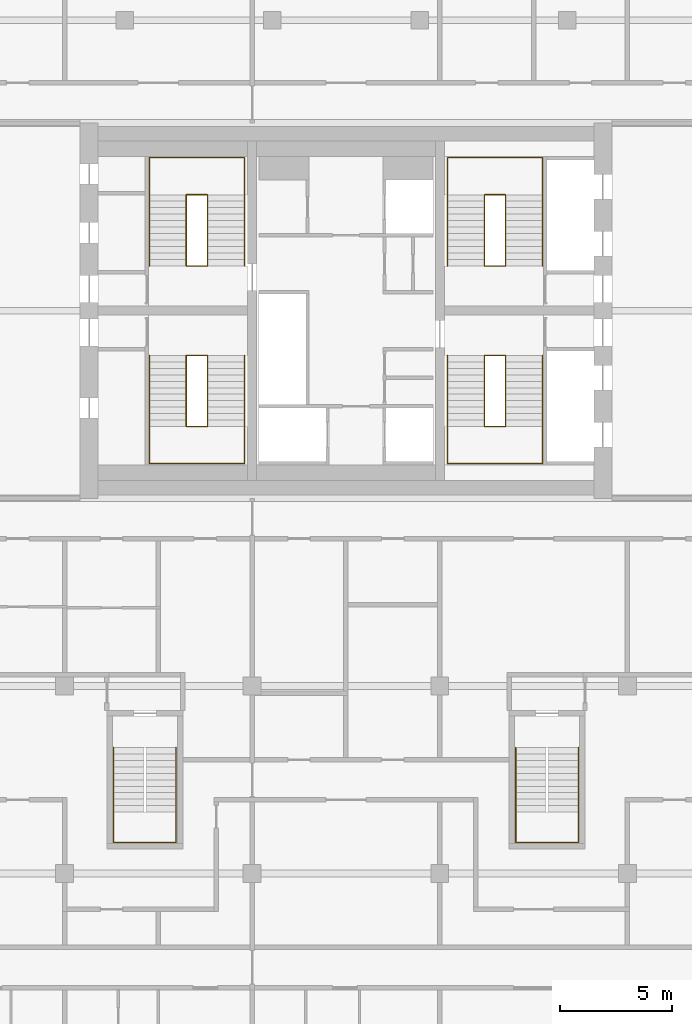
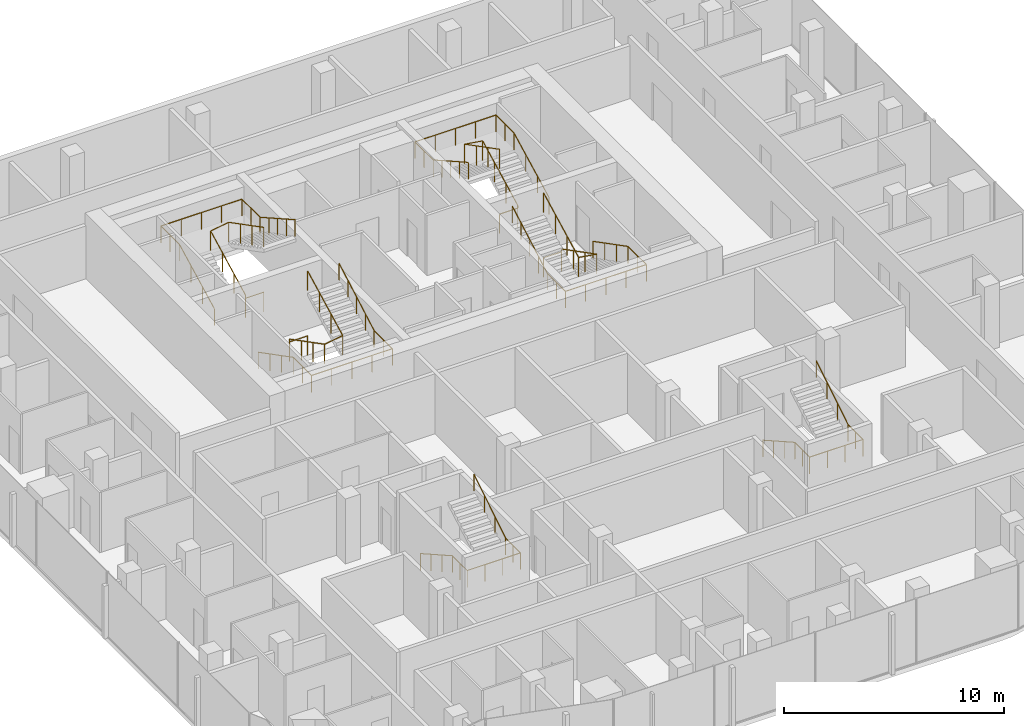
# One storey, part 21 of 21: 10 railings.
"""IFC4 building model written with IfcOpenShell, lengths in metres."""

from ifc_helpers import new_model, si_unit, direction, frame, origin, origin_2d, place, context, subcontext, project, spatial, circle, extrude, material, type_object, element, save


model = new_model("IFC4")

# Units and contexts
model_context = context("Model", 3, precision=1e-05, world=origin(), true_north=direction((0.0, 1.0)))
body_context = subcontext(model_context, "Body", "Model", "MODEL_VIEW")
ifc_project = project(units=[si_unit("LENGTHUNIT", "METRE"), si_unit("AREAUNIT", "SQUARE_METRE"), si_unit("VOLUMEUNIT", "CUBIC_METRE"), si_unit("PLANEANGLEUNIT", "RADIAN"), si_unit("MASSUNIT", "GRAM", prefix="KILO")], contexts=[model_context])

# Site, building, storey
site_placement = place(None, origin())
site = spatial("IfcSite", under=ifc_project, at=site_placement, CompositionType="ELEMENT")
building_placement = place(site_placement, origin())
building = spatial("IfcBuilding", under=site, at=building_placement, Name="Marenta Gate Hotel Tower", CompositionType="ELEMENT")
storey_placement = place(building_placement, frame((0.0, 0.0, 245.300048828125)))
storey = spatial("IfcBuildingStorey", under=building, at=storey_placement, Name="L58", CompositionType="ELEMENT", Elevation=245.300048828125)

# Railings
ifc_material_1 = material(Name="Stainless steel", Category="steel")
railing_type_1 = type_object("IfcRailingType", Name="Core stair handrail 950", PredefinedType="HANDRAIL", material=ifc_material_1)
railing_1_placement = place(storey_placement, frame((-8.800048828125, 6.39990234375, 0.14990234375)))
element("IfcRailing", 1, at=railing_1_placement, inside=storey, type_object=railing_type_1, Name="HR-950 L58-KR-ST1-1", PredefinedType="HANDRAIL", context=body_context, shape_type="SweptSolid", body=[
    extrude(circle(Radius=0.02392578125, at=origin_2d()), frame((0.0, 0.0, 0.92578125), z_axis=(0.0, -0.888197555067, 0.459461753765), x_axis=(1.0, 0.0, 0.0)), (0.0, 0.0, 1.0), 3.591552734375),
    extrude(circle(Radius=0.02392578125, at=origin_2d()), frame((0.0, -3.18994140625, 2.576171875), z_axis=(0.0, -1.0, 0.0), x_axis=(1.0, 0.0, 0.0)), (0.0, 0.0, 1.0), 1.659912109375),
    extrude(circle(Radius=0.02392578125, at=origin_2d()), frame((0.0, -4.849853515625, 2.576171875), z_axis=(1.0, 0.0, 0.0), x_axis=(0.0, 1.0, 0.0)), (0.0, 0.0, 1.0), 4.25),
    extrude(circle(Radius=0.02392578125, at=origin_2d()), frame((4.25, -4.849853515625, 2.576171875), z_axis=(0.0, 1.0, 0.0), x_axis=(-1.0, 0.0, 0.0)), (0.0, 0.0, 1.0), 1.659912109375),
    extrude(circle(Radius=0.02392578125, at=origin_2d()), frame((4.25, -3.18994140625, 2.576171875), z_axis=(0.0, 0.870937506535, 0.491393792911), x_axis=(-1.0, 0.0, 0.0)), (0.0, 0.0, 1.0), 3.66259765625),
    extrude(circle(Radius=0.02099609375, at=origin_2d()), origin(), (0.0, 0.0, 1.0), 0.90185546875),
    extrude(circle(Radius=0.02099609375, at=origin_2d()), frame((0.0, -1.063232421875, 0.550048828125)), (0.0, 0.0, 1.0), 0.90185546875),
    extrude(circle(Radius=0.02099609375, at=origin_2d()), frame((0.0, -2.126708984375, 1.10009765625)), (0.0, 0.0, 1.0), 0.90185546875),
    extrude(circle(Radius=0.02099609375, at=origin_2d()), frame((0.0, -3.18994140625, 1.650146484375)), (0.0, 0.0, 1.0), 0.90185546875),
    extrude(circle(Radius=0.02099609375, at=origin_2d()), frame((0.0, -4.02001953125, 1.650146484375)), (0.0, 0.0, 1.0), 0.90185546875),
    extrude(circle(Radius=0.02099609375, at=origin_2d()), frame((0.0, -4.849853515625, 1.650146484375)), (0.0, 0.0, 1.0), 0.90185546875),
    extrude(circle(Radius=0.02099609375, at=origin_2d()), frame((1.0625, -4.849853515625, 1.650146484375)), (0.0, 0.0, 1.0), 0.90185546875),
    extrude(circle(Radius=0.02099609375, at=origin_2d()), frame((2.125, -4.849853515625, 1.650146484375)), (0.0, 0.0, 1.0), 0.90185546875),
    extrude(circle(Radius=0.02099609375, at=origin_2d()), frame((3.1875, -4.849853515625, 1.650146484375)), (0.0, 0.0, 1.0), 0.90185546875),
    extrude(circle(Radius=0.02099609375, at=origin_2d()), frame((4.25, -4.849853515625, 1.650146484375)), (0.0, 0.0, 1.0), 0.90185546875),
    extrude(circle(Radius=0.02099609375, at=origin_2d()), frame((4.25, -4.02001953125, 1.650146484375)), (0.0, 0.0, 1.0), 0.90185546875),
    extrude(circle(Radius=0.02099609375, at=origin_2d()), frame((4.25, -3.18994140625, 1.650146484375)), (0.0, 0.0, 1.0), 0.90185546875),
    extrude(circle(Radius=0.02099609375, at=origin_2d()), frame((4.25, -2.392578125, 2.10009765625)), (0.0, 0.0, 1.0), 0.90185546875),
    extrude(circle(Radius=0.02099609375, at=origin_2d()), frame((4.25, -1.594970703125, 2.550048828125)), (0.0, 0.0, 1.0), 0.90185546875),
    extrude(circle(Radius=0.02099609375, at=origin_2d()), frame((4.25, -0.79736328125, 3.0)), (0.0, 0.0, 1.0), 0.90185546875),
    extrude(circle(Radius=0.02099609375, at=origin_2d()), frame((4.25, 0.0, 3.449951171875)), (0.0, 0.0, 1.0), 0.90185546875),
])
railing_2_placement = place(storey_placement, frame((-8.800048828125, 10.39990234375, 0.14990234375)))
element("IfcRailing", 2, at=railing_2_placement, inside=storey, type_object=railing_type_1, Name="HR-950 L58-KR-ST2-1", PredefinedType="HANDRAIL", context=body_context, shape_type="SweptSolid", body=[
    extrude(circle(Radius=0.02392578125, at=origin_2d()), frame((0.0, 0.0, 0.92578125), z_axis=(0.0, 0.888211904222, 0.459434013977), x_axis=(-1.0, 0.0, 0.0)), (0.0, 0.0, 1.0), 3.591796875),
    extrude(circle(Radius=0.02392578125, at=origin_2d()), frame((0.0, 3.190185546875, 2.576171875), z_axis=(0.0, 1.0, 0.0), x_axis=(-1.0, 0.0, 0.0)), (0.0, 0.0, 1.0), 1.659912109375),
    extrude(circle(Radius=0.02392578125, at=origin_2d()), frame((0.0, 4.85009765625, 2.576171875), z_axis=(1.0, 0.0, 0.0), x_axis=(0.0, 1.0, 0.0)), (0.0, 0.0, 1.0), 4.25),
    extrude(circle(Radius=0.02392578125, at=origin_2d()), frame((4.25, 4.85009765625, 2.576171875), z_axis=(0.0, -1.0, 0.0), x_axis=(1.0, 0.0, 0.0)), (0.0, 0.0, 1.0), 1.659912109375),
    extrude(circle(Radius=0.02392578125, at=origin_2d()), frame((4.25, 3.190185546875, 2.576171875), z_axis=(0.0, -0.870953600603, 0.491365266982), x_axis=(1.0, 0.0, 0.0)), (0.0, 0.0, 1.0), 3.662841796875),
    extrude(circle(Radius=0.02099609375, at=origin_2d()), origin(), (0.0, 0.0, 1.0), 0.90185546875),
    extrude(circle(Radius=0.02099609375, at=origin_2d()), frame((0.0, 1.0634765625, 0.550048828125)), (0.0, 0.0, 1.0), 0.90185546875),
    extrude(circle(Radius=0.02099609375, at=origin_2d()), frame((0.0, 2.126708984375, 1.10009765625)), (0.0, 0.0, 1.0), 0.90185546875),
    extrude(circle(Radius=0.02099609375, at=origin_2d()), frame((0.0, 3.190185546875, 1.650146484375)), (0.0, 0.0, 1.0), 0.90185546875),
    extrude(circle(Radius=0.02099609375, at=origin_2d()), frame((0.0, 4.02001953125, 1.650146484375)), (0.0, 0.0, 1.0), 0.90185546875),
    extrude(circle(Radius=0.02099609375, at=origin_2d()), frame((0.0, 4.85009765625, 1.650146484375)), (0.0, 0.0, 1.0), 0.90185546875),
    extrude(circle(Radius=0.02099609375, at=origin_2d()), frame((1.0625, 4.85009765625, 1.650146484375)), (0.0, 0.0, 1.0), 0.90185546875),
    extrude(circle(Radius=0.02099609375, at=origin_2d()), frame((2.125, 4.85009765625, 1.650146484375)), (0.0, 0.0, 1.0), 0.90185546875),
    extrude(circle(Radius=0.02099609375, at=origin_2d()), frame((3.1875, 4.85009765625, 1.650146484375)), (0.0, 0.0, 1.0), 0.90185546875),
    extrude(circle(Radius=0.02099609375, at=origin_2d()), frame((4.25, 4.85009765625, 1.650146484375)), (0.0, 0.0, 1.0), 0.90185546875),
    extrude(circle(Radius=0.02099609375, at=origin_2d()), frame((4.25, 4.02001953125, 1.650146484375)), (0.0, 0.0, 1.0), 0.90185546875),
    extrude(circle(Radius=0.02099609375, at=origin_2d()), frame((4.25, 3.190185546875, 1.650146484375)), (0.0, 0.0, 1.0), 0.90185546875),
    extrude(circle(Radius=0.02099609375, at=origin_2d()), frame((4.25, 2.392578125, 2.10009765625)), (0.0, 0.0, 1.0), 0.90185546875),
    extrude(circle(Radius=0.02099609375, at=origin_2d()), frame((4.25, 1.59521484375, 2.550048828125)), (0.0, 0.0, 1.0), 0.90185546875),
    extrude(circle(Radius=0.02099609375, at=origin_2d()), frame((4.25, 0.797607421875, 3.0)), (0.0, 0.0, 1.0), 0.90185546875),
    extrude(circle(Radius=0.02099609375, at=origin_2d()), frame((4.25, 0.0, 3.449951171875)), (0.0, 0.0, 1.0), 0.90185546875),
])
railing_3_placement = place(storey_placement, frame((8.800048828125, 6.39990234375, 0.14990234375)))
element("IfcRailing", 3, at=railing_3_placement, inside=storey, type_object=railing_type_1, Name="HR-950 L58-KR-ST3-1", PredefinedType="HANDRAIL", context=body_context, shape_type="SweptSolid", body=[
    extrude(circle(Radius=0.02392578125, at=origin_2d()), frame((0.0, 0.0, 0.92578125), z_axis=(0.0, -0.888197555067, 0.459461753765), x_axis=(1.0, 0.0, 0.0)), (0.0, 0.0, 1.0), 3.591552734375),
    extrude(circle(Radius=0.02392578125, at=origin_2d()), frame((0.0, -3.18994140625, 2.576171875), z_axis=(0.0, -1.0, 0.0), x_axis=(1.0, 0.0, 0.0)), (0.0, 0.0, 1.0), 1.659912109375),
    extrude(circle(Radius=0.02392578125, at=origin_2d()), frame((0.0, -4.849853515625, 2.576171875), z_axis=(-1.0, 0.0, 0.0), x_axis=(0.0, -1.0, 0.0)), (0.0, 0.0, 1.0), 4.25),
    extrude(circle(Radius=0.02392578125, at=origin_2d()), frame((-4.25, -4.849853515625, 2.576171875), z_axis=(0.0, 1.0, 0.0), x_axis=(-1.0, 0.0, 0.0)), (0.0, 0.0, 1.0), 1.659912109375),
    extrude(circle(Radius=0.02392578125, at=origin_2d()), frame((-4.25, -3.18994140625, 2.576171875), z_axis=(0.0, 0.870937506535, 0.491393792911), x_axis=(-1.0, 0.0, 0.0)), (0.0, 0.0, 1.0), 3.66259765625),
    extrude(circle(Radius=0.02099609375, at=origin_2d()), origin(), (0.0, 0.0, 1.0), 0.90185546875),
    extrude(circle(Radius=0.02099609375, at=origin_2d()), frame((0.0, -1.063232421875, 0.550048828125)), (0.0, 0.0, 1.0), 0.90185546875),
    extrude(circle(Radius=0.02099609375, at=origin_2d()), frame((0.0, -2.126708984375, 1.10009765625)), (0.0, 0.0, 1.0), 0.90185546875),
    extrude(circle(Radius=0.02099609375, at=origin_2d()), frame((0.0, -3.18994140625, 1.650146484375)), (0.0, 0.0, 1.0), 0.90185546875),
    extrude(circle(Radius=0.02099609375, at=origin_2d()), frame((0.0, -4.02001953125, 1.650146484375)), (0.0, 0.0, 1.0), 0.90185546875),
    extrude(circle(Radius=0.02099609375, at=origin_2d()), frame((0.0, -4.849853515625, 1.650146484375)), (0.0, 0.0, 1.0), 0.90185546875),
    extrude(circle(Radius=0.02099609375, at=origin_2d()), frame((-1.0625, -4.849853515625, 1.650146484375)), (0.0, 0.0, 1.0), 0.90185546875),
    extrude(circle(Radius=0.02099609375, at=origin_2d()), frame((-2.125, -4.849853515625, 1.650146484375)), (0.0, 0.0, 1.0), 0.90185546875),
    extrude(circle(Radius=0.02099609375, at=origin_2d()), frame((-3.1875, -4.849853515625, 1.650146484375)), (0.0, 0.0, 1.0), 0.90185546875),
    extrude(circle(Radius=0.02099609375, at=origin_2d()), frame((-4.25, -4.849853515625, 1.650146484375)), (0.0, 0.0, 1.0), 0.90185546875),
    extrude(circle(Radius=0.02099609375, at=origin_2d()), frame((-4.25, -4.02001953125, 1.650146484375)), (0.0, 0.0, 1.0), 0.90185546875),
    extrude(circle(Radius=0.02099609375, at=origin_2d()), frame((-4.25, -3.18994140625, 1.650146484375)), (0.0, 0.0, 1.0), 0.90185546875),
    extrude(circle(Radius=0.02099609375, at=origin_2d()), frame((-4.25, -2.392578125, 2.10009765625)), (0.0, 0.0, 1.0), 0.90185546875),
    extrude(circle(Radius=0.02099609375, at=origin_2d()), frame((-4.25, -1.594970703125, 2.550048828125)), (0.0, 0.0, 1.0), 0.90185546875),
    extrude(circle(Radius=0.02099609375, at=origin_2d()), frame((-4.25, -0.79736328125, 3.0)), (0.0, 0.0, 1.0), 0.90185546875),
    extrude(circle(Radius=0.02099609375, at=origin_2d()), frame((-4.25, 0.0, 3.449951171875)), (0.0, 0.0, 1.0), 0.90185546875),
])
railing_4_placement = place(storey_placement, frame((8.800048828125, 10.39990234375, 0.14990234375)))
element("IfcRailing", 4, at=railing_4_placement, inside=storey, type_object=railing_type_1, Name="HR-950 L58-KR-ST4-1", PredefinedType="HANDRAIL", context=body_context, shape_type="SweptSolid", body=[
    extrude(circle(Radius=0.02392578125, at=origin_2d()), frame((0.0, 0.0, 0.92578125), z_axis=(0.0, 0.888211904222, 0.459434013977), x_axis=(-1.0, 0.0, 0.0)), (0.0, 0.0, 1.0), 3.591796875),
    extrude(circle(Radius=0.02392578125, at=origin_2d()), frame((0.0, 3.190185546875, 2.576171875), z_axis=(0.0, 1.0, 0.0), x_axis=(-1.0, 0.0, 0.0)), (0.0, 0.0, 1.0), 1.659912109375),
    extrude(circle(Radius=0.02392578125, at=origin_2d()), frame((0.0, 4.85009765625, 2.576171875), z_axis=(-1.0, 0.0, 0.0), x_axis=(0.0, -1.0, 0.0)), (0.0, 0.0, 1.0), 4.25),
    extrude(circle(Radius=0.02392578125, at=origin_2d()), frame((-4.25, 4.85009765625, 2.576171875), z_axis=(0.0, -1.0, 0.0), x_axis=(1.0, 0.0, 0.0)), (0.0, 0.0, 1.0), 1.659912109375),
    extrude(circle(Radius=0.02392578125, at=origin_2d()), frame((-4.25, 3.190185546875, 2.576171875), z_axis=(0.0, -0.870953600603, 0.491365266982), x_axis=(1.0, 0.0, 0.0)), (0.0, 0.0, 1.0), 3.662841796875),
    extrude(circle(Radius=0.02099609375, at=origin_2d()), origin(), (0.0, 0.0, 1.0), 0.90185546875),
    extrude(circle(Radius=0.02099609375, at=origin_2d()), frame((0.0, 1.0634765625, 0.550048828125)), (0.0, 0.0, 1.0), 0.90185546875),
    extrude(circle(Radius=0.02099609375, at=origin_2d()), frame((0.0, 2.126708984375, 1.10009765625)), (0.0, 0.0, 1.0), 0.90185546875),
    extrude(circle(Radius=0.02099609375, at=origin_2d()), frame((0.0, 3.190185546875, 1.650146484375)), (0.0, 0.0, 1.0), 0.90185546875),
    extrude(circle(Radius=0.02099609375, at=origin_2d()), frame((0.0, 4.02001953125, 1.650146484375)), (0.0, 0.0, 1.0), 0.90185546875),
    extrude(circle(Radius=0.02099609375, at=origin_2d()), frame((0.0, 4.85009765625, 1.650146484375)), (0.0, 0.0, 1.0), 0.90185546875),
    extrude(circle(Radius=0.02099609375, at=origin_2d()), frame((-1.0625, 4.85009765625, 1.650146484375)), (0.0, 0.0, 1.0), 0.90185546875),
    extrude(circle(Radius=0.02099609375, at=origin_2d()), frame((-2.125, 4.85009765625, 1.650146484375)), (0.0, 0.0, 1.0), 0.90185546875),
    extrude(circle(Radius=0.02099609375, at=origin_2d()), frame((-3.1875, 4.85009765625, 1.650146484375)), (0.0, 0.0, 1.0), 0.90185546875),
    extrude(circle(Radius=0.02099609375, at=origin_2d()), frame((-4.25, 4.85009765625, 1.650146484375)), (0.0, 0.0, 1.0), 0.90185546875),
    extrude(circle(Radius=0.02099609375, at=origin_2d()), frame((-4.25, 4.02001953125, 1.650146484375)), (0.0, 0.0, 1.0), 0.90185546875),
    extrude(circle(Radius=0.02099609375, at=origin_2d()), frame((-4.25, 3.190185546875, 1.650146484375)), (0.0, 0.0, 1.0), 0.90185546875),
    extrude(circle(Radius=0.02099609375, at=origin_2d()), frame((-4.25, 2.392578125, 2.10009765625)), (0.0, 0.0, 1.0), 0.90185546875),
    extrude(circle(Radius=0.02099609375, at=origin_2d()), frame((-4.25, 1.59521484375, 2.550048828125)), (0.0, 0.0, 1.0), 0.90185546875),
    extrude(circle(Radius=0.02099609375, at=origin_2d()), frame((-4.25, 0.797607421875, 3.0)), (0.0, 0.0, 1.0), 0.90185546875),
    extrude(circle(Radius=0.02099609375, at=origin_2d()), frame((-4.25, 0.0, 3.449951171875)), (0.0, 0.0, 1.0), 0.90185546875),
])
railing_5_placement = place(storey_placement, frame((-10.39990234375, -11.14990234375, 0.16357421875)))
element("IfcRailing", 5, at=railing_5_placement, inside=storey, type_object=railing_type_1, Name="HR-950 L58-RS-Z3-1-KR-1", PredefinedType="HANDRAIL", context=body_context, shape_type="SweptSolid", body=[
    extrude(circle(Radius=0.02392578125, at=origin_2d()), frame((0.0, 0.0, 0.92578125), z_axis=(0.0, -0.870914908162, 0.491433843708), x_axis=(1.0, 0.0, 0.0)), (0.0, 0.0, 1.0), 3.330078125),
    extrude(circle(Radius=0.02392578125, at=origin_2d()), frame((0.0, -2.900146484375, 2.5625), z_axis=(0.0, -1.0, 0.0), x_axis=(1.0, 0.0, 0.0)), (0.0, 0.0, 1.0), 1.349853515625),
    extrude(circle(Radius=0.02392578125, at=origin_2d()), frame((0.0, -4.25, 2.5625), z_axis=(1.0, 0.0, 0.0), x_axis=(0.0, 1.0, 0.0)), (0.0, 0.0, 1.0), 2.7998046875),
    extrude(circle(Radius=0.02392578125, at=origin_2d()), frame((2.7998046875, -4.25, 2.5625), z_axis=(0.0, 1.0, 0.0), x_axis=(-1.0, 0.0, 0.0)), (0.0, 0.0, 1.0), 1.349853515625),
    extrude(circle(Radius=0.02392578125, at=origin_2d()), frame((2.7998046875, -2.900146484375, 2.5625), z_axis=(0.0, 0.849677739116, 0.527302322819), x_axis=(-1.0, 0.0, 0.0)), (0.0, 0.0, 1.0), 3.413330078125),
    extrude(circle(Radius=0.02099609375, at=origin_2d()), origin(), (0.0, 0.0, 1.0), 0.90185546875),
    extrude(circle(Radius=0.02099609375, at=origin_2d()), frame((0.0, -0.966796875, 0.54541015625)), (0.0, 0.0, 1.0), 0.90185546875),
    extrude(circle(Radius=0.02099609375, at=origin_2d()), frame((0.0, -1.933349609375, 1.091064453125)), (0.0, 0.0, 1.0), 0.90185546875),
    extrude(circle(Radius=0.02099609375, at=origin_2d()), frame((0.0, -2.900146484375, 1.636474609375)), (0.0, 0.0, 1.0), 0.90185546875),
    extrude(circle(Radius=0.02099609375, at=origin_2d()), frame((0.0, -3.5751953125, 1.636474609375)), (0.0, 0.0, 1.0), 0.90185546875),
    extrude(circle(Radius=0.02099609375, at=origin_2d()), frame((0.0, -4.25, 1.636474609375)), (0.0, 0.0, 1.0), 0.90185546875),
    extrude(circle(Radius=0.02099609375, at=origin_2d()), frame((0.933349609375, -4.25, 1.636474609375)), (0.0, 0.0, 1.0), 0.90185546875),
    extrude(circle(Radius=0.02099609375, at=origin_2d()), frame((1.866455078125, -4.25, 1.636474609375)), (0.0, 0.0, 1.0), 0.90185546875),
    extrude(circle(Radius=0.02099609375, at=origin_2d()), frame((2.7998046875, -4.25, 1.636474609375)), (0.0, 0.0, 1.0), 0.90185546875),
    extrude(circle(Radius=0.02099609375, at=origin_2d()), frame((2.7998046875, -3.5751953125, 1.636474609375)), (0.0, 0.0, 1.0), 0.90185546875),
    extrude(circle(Radius=0.02099609375, at=origin_2d()), frame((2.7998046875, -2.900146484375, 1.636474609375)), (0.0, 0.0, 1.0), 0.90185546875),
    extrude(circle(Radius=0.02099609375, at=origin_2d()), frame((2.7998046875, -1.933349609375, 2.236328125)), (0.0, 0.0, 1.0), 0.90185546875),
    extrude(circle(Radius=0.02099609375, at=origin_2d()), frame((2.7998046875, -0.966796875, 2.83642578125)), (0.0, 0.0, 1.0), 0.90185546875),
    extrude(circle(Radius=0.02099609375, at=origin_2d()), frame((2.7998046875, 0.0, 3.436279296875)), (0.0, 0.0, 1.0), 0.90185546875),
])
railing_6_placement = place(storey_placement, frame((7.60009765625, -11.14990234375, 0.16357421875)))
element("IfcRailing", 6, at=railing_6_placement, inside=storey, type_object=railing_type_1, Name="HR-950 L58-RS-Z3-2-KR-1", PredefinedType="HANDRAIL", context=body_context, shape_type="SweptSolid", body=[
    extrude(circle(Radius=0.02392578125, at=origin_2d()), frame((0.0, 0.0, 0.92578125), z_axis=(0.0, -0.870914908162, 0.491433843708), x_axis=(1.0, 0.0, 0.0)), (0.0, 0.0, 1.0), 3.330078125),
    extrude(circle(Radius=0.02392578125, at=origin_2d()), frame((0.0, -2.900146484375, 2.5625), z_axis=(0.0, -1.0, 0.0), x_axis=(1.0, 0.0, 0.0)), (0.0, 0.0, 1.0), 1.349853515625),
    extrude(circle(Radius=0.02392578125, at=origin_2d()), frame((0.0, -4.25, 2.5625), z_axis=(1.0, 0.0, 0.0), x_axis=(0.0, 1.0, 0.0)), (0.0, 0.0, 1.0), 2.7998046875),
    extrude(circle(Radius=0.02392578125, at=origin_2d()), frame((2.7998046875, -4.25, 2.5625), z_axis=(0.0, 1.0, 0.0), x_axis=(-1.0, 0.0, 0.0)), (0.0, 0.0, 1.0), 1.349853515625),
    extrude(circle(Radius=0.02392578125, at=origin_2d()), frame((2.7998046875, -2.900146484375, 2.5625), z_axis=(0.0, 0.849677739116, 0.527302322819), x_axis=(-1.0, 0.0, 0.0)), (0.0, 0.0, 1.0), 3.413330078125),
    extrude(circle(Radius=0.02099609375, at=origin_2d()), origin(), (0.0, 0.0, 1.0), 0.90185546875),
    extrude(circle(Radius=0.02099609375, at=origin_2d()), frame((0.0, -0.966796875, 0.54541015625)), (0.0, 0.0, 1.0), 0.90185546875),
    extrude(circle(Radius=0.02099609375, at=origin_2d()), frame((0.0, -1.933349609375, 1.091064453125)), (0.0, 0.0, 1.0), 0.90185546875),
    extrude(circle(Radius=0.02099609375, at=origin_2d()), frame((0.0, -2.900146484375, 1.636474609375)), (0.0, 0.0, 1.0), 0.90185546875),
    extrude(circle(Radius=0.02099609375, at=origin_2d()), frame((0.0, -3.5751953125, 1.636474609375)), (0.0, 0.0, 1.0), 0.90185546875),
    extrude(circle(Radius=0.02099609375, at=origin_2d()), frame((0.0, -4.25, 1.636474609375)), (0.0, 0.0, 1.0), 0.90185546875),
    extrude(circle(Radius=0.02099609375, at=origin_2d()), frame((0.933349609375, -4.25, 1.636474609375)), (0.0, 0.0, 1.0), 0.90185546875),
    extrude(circle(Radius=0.02099609375, at=origin_2d()), frame((1.866455078125, -4.25, 1.636474609375)), (0.0, 0.0, 1.0), 0.90185546875),
    extrude(circle(Radius=0.02099609375, at=origin_2d()), frame((2.7998046875, -4.25, 1.636474609375)), (0.0, 0.0, 1.0), 0.90185546875),
    extrude(circle(Radius=0.02099609375, at=origin_2d()), frame((2.7998046875, -3.5751953125, 1.636474609375)), (0.0, 0.0, 1.0), 0.90185546875),
    extrude(circle(Radius=0.02099609375, at=origin_2d()), frame((2.7998046875, -2.900146484375, 1.636474609375)), (0.0, 0.0, 1.0), 0.90185546875),
    extrude(circle(Radius=0.02099609375, at=origin_2d()), frame((2.7998046875, -1.933349609375, 2.236328125)), (0.0, 0.0, 1.0), 0.90185546875),
    extrude(circle(Radius=0.02099609375, at=origin_2d()), frame((2.7998046875, -0.966796875, 2.83642578125)), (0.0, 0.0, 1.0), 0.90185546875),
    extrude(circle(Radius=0.02099609375, at=origin_2d()), frame((2.7998046875, 0.0, 3.436279296875)), (0.0, 0.0, 1.0), 0.90185546875),
])
ifc_material_2 = material(Name="Stainless steel", Category="steel")
railing_type_2 = type_object("IfcRailingType", Name="Core stair well guard 1100", PredefinedType="GUARDRAIL", material=ifc_material_2)
railing_7_placement = place(storey_placement, frame((-6.199951171875, 6.39990234375, 0.0)))
element("IfcRailing", 7, at=railing_7_placement, inside=storey, type_object=railing_type_2, Name="GR-1100 L58-KR-ST1-2", PredefinedType="GUARDRAIL", context=body_context, shape_type="SweptSolid", body=[
    extrude(circle(Radius=0.02392578125, at=origin_2d()), frame((0.0, 0.0, 1.076171875), z_axis=(-1.0, 0.0, 0.0), x_axis=(0.0, -1.0, 0.0)), (0.0, 0.0, 1.0), 0.949951171875),
    extrude(circle(Radius=0.02392578125, at=origin_2d()), frame((-0.949951171875, 0.0, 1.076171875), z_axis=(0.0, 0.0, 1.0), x_axis=(1.0, 0.0, 0.0)), (0.0, 0.0, 1.0), 0.14990234375),
    extrude(circle(Radius=0.02392578125, at=origin_2d()), frame((-0.949951171875, 0.0, 1.22607421875), z_axis=(0.0, -0.888197555067, 0.459461753765), x_axis=(1.0, 0.0, 0.0)), (0.0, 0.0, 1.0), 3.591552734375),
    extrude(circle(Radius=0.02392578125, at=origin_2d()), frame((-0.949951171875, -3.18994140625, 2.8759765625), z_axis=(0.987777369502, 0.0, 0.15587131968), x_axis=(0.0, 1.0, 0.0)), (0.0, 0.0, 1.0), 0.961669921875),
    extrude(circle(Radius=0.02392578125, at=origin_2d()), frame((0.0, -3.18994140625, 3.02587890625), z_axis=(0.0, 0.888225295554, 0.459408123936), x_axis=(-1.0, 0.0, 0.0)), (0.0, 0.0, 1.0), 3.59130859375),
    extrude(circle(Radius=0.02099609375, at=origin_2d()), origin(), (0.0, 0.0, 1.0), 1.052001953125),
    extrude(circle(Radius=0.02099609375, at=origin_2d()), frame((-0.949951171875, 0.0, 0.0)), (0.0, 0.0, 1.0), 1.052001953125),
    extrude(circle(Radius=0.02099609375, at=origin_2d()), frame((-0.949951171875, 0.0, 0.14990234375)), (0.0, 0.0, 1.0), 1.052001953125),
    extrude(circle(Radius=0.02099609375, at=origin_2d()), frame((-0.949951171875, -1.063232421875, 0.699951171875)), (0.0, 0.0, 1.0), 1.052001953125),
    extrude(circle(Radius=0.02099609375, at=origin_2d()), frame((-0.949951171875, -2.126708984375, 1.25)), (0.0, 0.0, 1.0), 1.052001953125),
    extrude(circle(Radius=0.02099609375, at=origin_2d()), frame((-0.949951171875, -3.18994140625, 1.800048828125)), (0.0, 0.0, 1.0), 1.052001953125),
    extrude(circle(Radius=0.02099609375, at=origin_2d()), frame((0.0, -3.18994140625, 1.949951171875)), (0.0, 0.0, 1.0), 1.052001953125),
    extrude(circle(Radius=0.02099609375, at=origin_2d()), frame((0.0, -2.126708984375, 2.5)), (0.0, 0.0, 1.0), 1.052001953125),
    extrude(circle(Radius=0.02099609375, at=origin_2d()), frame((0.0, -1.063232421875, 3.0498046875)), (0.0, 0.0, 1.0), 1.052001953125),
    extrude(circle(Radius=0.02099609375, at=origin_2d()), frame((0.0, 0.0, 3.599853515625)), (0.0, 0.0, 1.0), 1.052001953125),
])
railing_8_placement = place(storey_placement, frame((-6.199951171875, 10.39990234375, 0.0)))
element("IfcRailing", 8, at=railing_8_placement, inside=storey, type_object=railing_type_2, Name="GR-1100 L58-KR-ST2-2", PredefinedType="GUARDRAIL", context=body_context, shape_type="SweptSolid", body=[
    extrude(circle(Radius=0.02392578125, at=origin_2d()), frame((0.0, 0.0, 1.076171875), z_axis=(-1.0, 0.0, 0.0), x_axis=(0.0, -1.0, 0.0)), (0.0, 0.0, 1.0), 0.949951171875),
    extrude(circle(Radius=0.02392578125, at=origin_2d()), frame((-0.949951171875, 0.0, 1.076171875), z_axis=(0.0, 0.0, 1.0), x_axis=(1.0, 0.0, 0.0)), (0.0, 0.0, 1.0), 0.14990234375),
    extrude(circle(Radius=0.02392578125, at=origin_2d()), frame((-0.949951171875, 0.0, 1.22607421875), z_axis=(0.0, 0.888211904222, 0.459434013977), x_axis=(-1.0, 0.0, 0.0)), (0.0, 0.0, 1.0), 3.591796875),
    extrude(circle(Radius=0.02392578125, at=origin_2d()), frame((-0.949951171875, 3.190185546875, 2.8759765625), z_axis=(0.987777369502, 0.0, 0.15587131968), x_axis=(0.0, 1.0, 0.0)), (0.0, 0.0, 1.0), 0.961669921875),
    extrude(circle(Radius=0.02392578125, at=origin_2d()), frame((0.0, 3.190185546875, 3.02587890625), z_axis=(0.0, -0.888239641807, 0.459380385653), x_axis=(1.0, 0.0, 0.0)), (0.0, 0.0, 1.0), 3.591552734375),
    extrude(circle(Radius=0.02099609375, at=origin_2d()), origin(), (0.0, 0.0, 1.0), 1.052001953125),
    extrude(circle(Radius=0.02099609375, at=origin_2d()), frame((-0.949951171875, 0.0, 0.0)), (0.0, 0.0, 1.0), 1.052001953125),
    extrude(circle(Radius=0.02099609375, at=origin_2d()), frame((-0.949951171875, 0.0, 0.14990234375)), (0.0, 0.0, 1.0), 1.052001953125),
    extrude(circle(Radius=0.02099609375, at=origin_2d()), frame((-0.949951171875, 1.0634765625, 0.699951171875)), (0.0, 0.0, 1.0), 1.052001953125),
    extrude(circle(Radius=0.02099609375, at=origin_2d()), frame((-0.949951171875, 2.126708984375, 1.25)), (0.0, 0.0, 1.0), 1.052001953125),
    extrude(circle(Radius=0.02099609375, at=origin_2d()), frame((-0.949951171875, 3.190185546875, 1.800048828125)), (0.0, 0.0, 1.0), 1.052001953125),
    extrude(circle(Radius=0.02099609375, at=origin_2d()), frame((0.0, 3.190185546875, 1.949951171875)), (0.0, 0.0, 1.0), 1.052001953125),
    extrude(circle(Radius=0.02099609375, at=origin_2d()), frame((0.0, 2.126708984375, 2.5)), (0.0, 0.0, 1.0), 1.052001953125),
    extrude(circle(Radius=0.02099609375, at=origin_2d()), frame((0.0, 1.0634765625, 3.0498046875)), (0.0, 0.0, 1.0), 1.052001953125),
    extrude(circle(Radius=0.02099609375, at=origin_2d()), frame((0.0, 0.0, 3.599853515625)), (0.0, 0.0, 1.0), 1.052001953125),
])
railing_9_placement = place(storey_placement, frame((6.199951171875, 6.39990234375, 0.0)))
element("IfcRailing", 9, at=railing_9_placement, inside=storey, type_object=railing_type_2, Name="GR-1100 L58-KR-ST3-2", PredefinedType="GUARDRAIL", context=body_context, shape_type="SweptSolid", body=[
    extrude(circle(Radius=0.02392578125, at=origin_2d()), frame((0.0, 0.0, 1.076171875), z_axis=(1.0, 0.0, 0.0), x_axis=(0.0, 1.0, 0.0)), (0.0, 0.0, 1.0), 0.949951171875),
    extrude(circle(Radius=0.02392578125, at=origin_2d()), frame((0.949951171875, 0.0, 1.076171875), z_axis=(0.0, 0.0, 1.0), x_axis=(1.0, 0.0, 0.0)), (0.0, 0.0, 1.0), 0.14990234375),
    extrude(circle(Radius=0.02392578125, at=origin_2d()), frame((0.949951171875, 0.0, 1.22607421875), z_axis=(0.0, -0.888197555067, 0.459461753765), x_axis=(1.0, 0.0, 0.0)), (0.0, 0.0, 1.0), 3.591552734375),
    extrude(circle(Radius=0.02392578125, at=origin_2d()), frame((0.949951171875, -3.18994140625, 2.8759765625), z_axis=(-0.987777369502, 0.0, 0.15587131968), x_axis=(0.0, -1.0, 0.0)), (0.0, 0.0, 1.0), 0.961669921875),
    extrude(circle(Radius=0.02392578125, at=origin_2d()), frame((0.0, -3.18994140625, 3.02587890625), z_axis=(0.0, 0.888225295554, 0.459408123936), x_axis=(-1.0, 0.0, 0.0)), (0.0, 0.0, 1.0), 3.59130859375),
    extrude(circle(Radius=0.02099609375, at=origin_2d()), origin(), (0.0, 0.0, 1.0), 1.052001953125),
    extrude(circle(Radius=0.02099609375, at=origin_2d()), frame((0.949951171875, 0.0, 0.0)), (0.0, 0.0, 1.0), 1.052001953125),
    extrude(circle(Radius=0.02099609375, at=origin_2d()), frame((0.949951171875, 0.0, 0.14990234375)), (0.0, 0.0, 1.0), 1.052001953125),
    extrude(circle(Radius=0.02099609375, at=origin_2d()), frame((0.949951171875, -1.063232421875, 0.699951171875)), (0.0, 0.0, 1.0), 1.052001953125),
    extrude(circle(Radius=0.02099609375, at=origin_2d()), frame((0.949951171875, -2.126708984375, 1.25)), (0.0, 0.0, 1.0), 1.052001953125),
    extrude(circle(Radius=0.02099609375, at=origin_2d()), frame((0.949951171875, -3.18994140625, 1.800048828125)), (0.0, 0.0, 1.0), 1.052001953125),
    extrude(circle(Radius=0.02099609375, at=origin_2d()), frame((0.0, -3.18994140625, 1.949951171875)), (0.0, 0.0, 1.0), 1.052001953125),
    extrude(circle(Radius=0.02099609375, at=origin_2d()), frame((0.0, -2.126708984375, 2.5)), (0.0, 0.0, 1.0), 1.052001953125),
    extrude(circle(Radius=0.02099609375, at=origin_2d()), frame((0.0, -1.063232421875, 3.0498046875)), (0.0, 0.0, 1.0), 1.052001953125),
    extrude(circle(Radius=0.02099609375, at=origin_2d()), frame((0.0, 0.0, 3.599853515625)), (0.0, 0.0, 1.0), 1.052001953125),
])
railing_10_placement = place(storey_placement, frame((6.199951171875, 10.39990234375, 0.0)))
element("IfcRailing", 10, at=railing_10_placement, inside=storey, type_object=railing_type_2, Name="GR-1100 L58-KR-ST4-2", PredefinedType="GUARDRAIL", context=body_context, shape_type="SweptSolid", body=[
    extrude(circle(Radius=0.02392578125, at=origin_2d()), frame((0.0, 0.0, 1.076171875), z_axis=(1.0, 0.0, 0.0), x_axis=(0.0, 1.0, 0.0)), (0.0, 0.0, 1.0), 0.949951171875),
    extrude(circle(Radius=0.02392578125, at=origin_2d()), frame((0.949951171875, 0.0, 1.076171875), z_axis=(0.0, 0.0, 1.0), x_axis=(1.0, 0.0, 0.0)), (0.0, 0.0, 1.0), 0.14990234375),
    extrude(circle(Radius=0.02392578125, at=origin_2d()), frame((0.949951171875, 0.0, 1.22607421875), z_axis=(0.0, 0.888211904222, 0.459434013977), x_axis=(-1.0, 0.0, 0.0)), (0.0, 0.0, 1.0), 3.591796875),
    extrude(circle(Radius=0.02392578125, at=origin_2d()), frame((0.949951171875, 3.190185546875, 2.8759765625), z_axis=(-0.987777369502, 0.0, 0.15587131968), x_axis=(0.0, -1.0, 0.0)), (0.0, 0.0, 1.0), 0.961669921875),
    extrude(circle(Radius=0.02392578125, at=origin_2d()), frame((0.0, 3.190185546875, 3.02587890625), z_axis=(0.0, -0.888239641807, 0.459380385653), x_axis=(1.0, 0.0, 0.0)), (0.0, 0.0, 1.0), 3.591552734375),
    extrude(circle(Radius=0.02099609375, at=origin_2d()), origin(), (0.0, 0.0, 1.0), 1.052001953125),
    extrude(circle(Radius=0.02099609375, at=origin_2d()), frame((0.949951171875, 0.0, 0.0)), (0.0, 0.0, 1.0), 1.052001953125),
    extrude(circle(Radius=0.02099609375, at=origin_2d()), frame((0.949951171875, 0.0, 0.14990234375)), (0.0, 0.0, 1.0), 1.052001953125),
    extrude(circle(Radius=0.02099609375, at=origin_2d()), frame((0.949951171875, 1.0634765625, 0.699951171875)), (0.0, 0.0, 1.0), 1.052001953125),
    extrude(circle(Radius=0.02099609375, at=origin_2d()), frame((0.949951171875, 2.126708984375, 1.25)), (0.0, 0.0, 1.0), 1.052001953125),
    extrude(circle(Radius=0.02099609375, at=origin_2d()), frame((0.949951171875, 3.190185546875, 1.800048828125)), (0.0, 0.0, 1.0), 1.052001953125),
    extrude(circle(Radius=0.02099609375, at=origin_2d()), frame((0.0, 3.190185546875, 1.949951171875)), (0.0, 0.0, 1.0), 1.052001953125),
    extrude(circle(Radius=0.02099609375, at=origin_2d()), frame((0.0, 2.126708984375, 2.5)), (0.0, 0.0, 1.0), 1.052001953125),
    extrude(circle(Radius=0.02099609375, at=origin_2d()), frame((0.0, 1.0634765625, 3.0498046875)), (0.0, 0.0, 1.0), 1.052001953125),
    extrude(circle(Radius=0.02099609375, at=origin_2d()), frame((0.0, 0.0, 3.599853515625)), (0.0, 0.0, 1.0), 1.052001953125),
])

save(model, "model.ifc")
